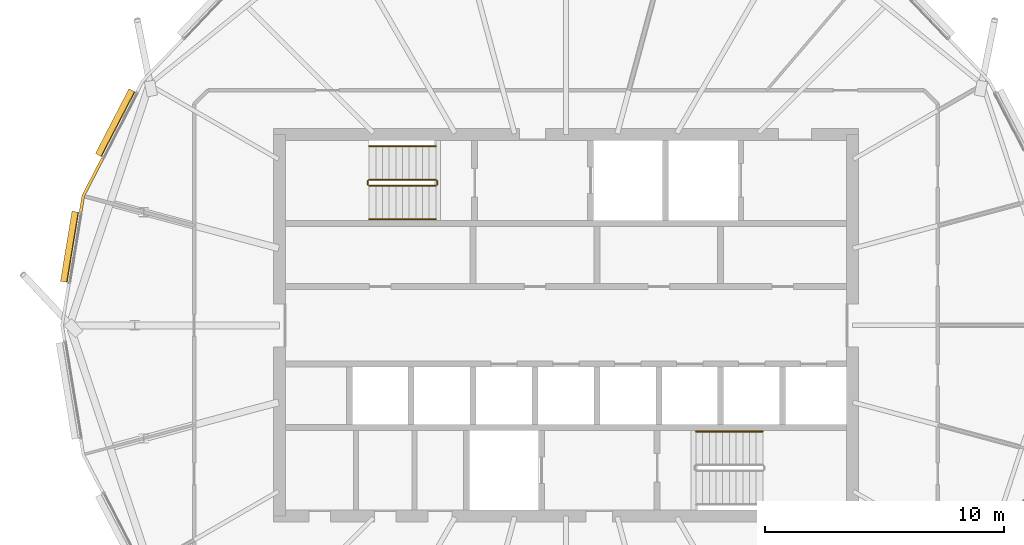
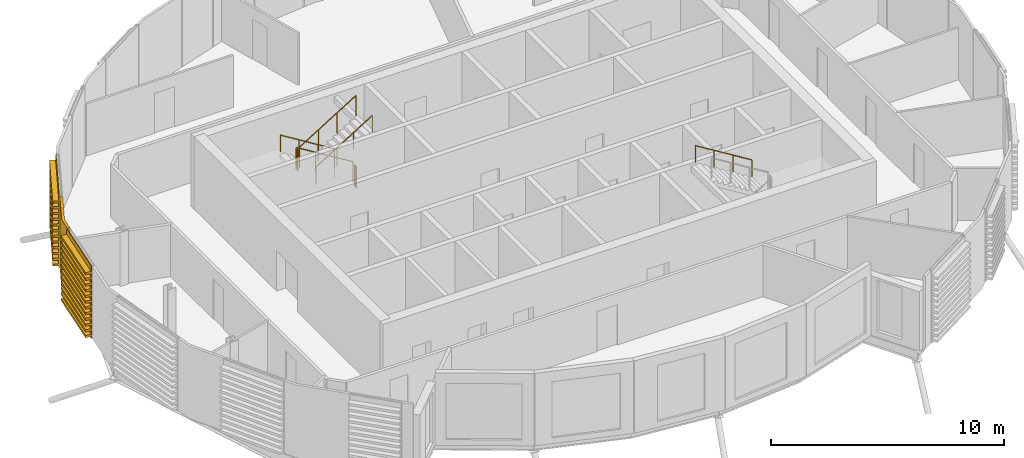
# One storey, part 36 of 41: 7 railings, 3 coverings.
"""IFC4 building model written with IfcOpenShell, lengths in metres."""

from ifc_helpers import new_model, si_unit, direction, frame, origin, origin_2d, place, context, subcontext, project, spatial, polyline, circle, outline, extrude, material, layer, layer_set, material_profile, profile_set, type_object, element, save


model = new_model("IFC4")

# Units and contexts
model_context = context("Model", 3, precision=1e-05, world=origin(), true_north=direction((0.0, 1.0)))
body_context = subcontext(model_context, "Body", "Model", "MODEL_VIEW")
ifc_project = project(units=[si_unit("LENGTHUNIT", "METRE"), si_unit("AREAUNIT", "SQUARE_METRE"), si_unit("VOLUMEUNIT", "CUBIC_METRE"), si_unit("PLANEANGLEUNIT", "RADIAN"), si_unit("MASSUNIT", "GRAM", prefix="KILO")], contexts=[model_context])

# Site, building, storey
site_placement = place(None, origin())
site = spatial("IfcSite", under=ifc_project, at=site_placement, CompositionType="ELEMENT")
building_placement = place(site_placement, origin())
building = spatial("IfcBuilding", under=site, at=building_placement, Name="Rimbun Link Towers", CompositionType="ELEMENT")
storey_placement = place(building_placement, frame((0.0, 0.0, 214.300048828125)))
storey = spatial("IfcBuildingStorey", under=building, at=storey_placement, Name="L52", CompositionType="ELEMENT", Elevation=214.300048828125)

# Covering
ifc_material_1 = material(Name="Terracotta", Category="masonry")
ifc_layer = layer(ifc_material_1, 0.1201171875)
ifc_layer_set = layer_set([ifc_layer], Name="LINK PIER terracotta cladding 120")
covering_type_1 = type_object("IfcCoveringType", Name="LINK PIER terracotta cladding 120", PredefinedType="CLADDING", material=ifc_layer_set)
covering_1_placement = place(storey_placement, origin())
element("IfcCovering", 1, at=covering_1_placement, inside=storey, type_object=covering_type_1, Name="LINK PIER cladding", PredefinedType="CLADDING", context=body_context, shape_type="SweptSolid", body=[
    extrude(outline(polyline([(-52.030029296875, 4.743896484375), (-51.92138671875, 5.40478515625), (-51.10791015625, 6.976806640625), (-51.214599609375, 7.031982421875), (-52.03662109375, 5.443115234375), (-52.1484375, 4.76318359375), (-52.030029296875, 4.743896484375)])), origin(), (0.0, 0.0, 1.0), 3.800048828125),
])

# Railings
ifc_material_2 = material(Name="Stainless steel grade 316", Category="steel")
railing_type_1 = type_object("IfcRailingType", Name="Stair guard", PredefinedType="GUARDRAIL", material=ifc_material_2)
railing_1_placement = place(storey_placement, frame((-37.199951171875, 6.10009765625, 0.172607421875)))
element("IfcRailing", 2, at=railing_1_placement, inside=storey, type_object=railing_type_1, Name="L52 ST1 stair guard 1", PredefinedType="GUARDRAIL", context=body_context, shape_type="SweptSolid", body=[
    extrude(circle(Radius=0.02392578125, at=origin_2d()), frame((0.0, 0.0, 1.076171875), z_axis=(-0.851089632645, 0.0, 0.525020415988), x_axis=(0.0, -1.0, 0.0)), (0.0, 0.0, 1.0), 3.2900390625),
    extrude(circle(Radius=0.02099609375, at=origin_2d()), origin(), (0.0, 0.0, 1.0), 1.052001953125),
    extrude(circle(Radius=0.02099609375, at=origin_2d()), frame((-0.933349609375, 0.0, 0.57568359375)), (0.0, 0.0, 1.0), 1.052001953125),
    extrude(circle(Radius=0.02099609375, at=origin_2d()), frame((-1.86669921875, 0.0, 1.151611328125)), (0.0, 0.0, 1.0), 1.052001953125),
    extrude(circle(Radius=0.02099609375, at=origin_2d()), frame((-2.800048828125, 0.0, 1.727294921875)), (0.0, 0.0, 1.0), 1.052001953125),
])
railing_2_placement = place(storey_placement, frame((-40.050048828125, 6.050048828125, 1.89990234375)))
element("IfcRailing", 3, at=railing_2_placement, inside=storey, type_object=railing_type_1, Name="L52 ST1 stair guard 2", PredefinedType="GUARDRAIL", context=body_context, shape_type="SweptSolid", body=[
    extrude(circle(Radius=0.02392578125, at=origin_2d()), frame((0.0, 0.0, 1.076171875), z_axis=(0.0, -1.0, 0.0), x_axis=(1.0, 0.0, 0.0)), (0.0, 0.0, 1.0), 0.150146484375),
    extrude(circle(Radius=0.02099609375, at=origin_2d()), origin(), (0.0, 0.0, 1.0), 1.052001953125),
    extrude(circle(Radius=0.02099609375, at=origin_2d()), frame((0.0, -0.150146484375, 0.0)), (0.0, 0.0, 1.0), 1.052001953125),
])
railing_3_placement = place(storey_placement, frame((-40.0, 5.85009765625, 2.07275390625)))
element("IfcRailing", 4, at=railing_3_placement, inside=storey, type_object=railing_type_1, Name="L52 ST1 stair guard 3", PredefinedType="GUARDRAIL", context=body_context, shape_type="SweptSolid", body=[
    extrude(circle(Radius=0.02392578125, at=origin_2d()), frame((0.0, 0.0, 1.076171875), z_axis=(0.851089632645, 0.0, 0.525020415988), x_axis=(0.0, 1.0, 0.0)), (0.0, 0.0, 1.0), 3.2900390625),
    extrude(circle(Radius=0.02099609375, at=origin_2d()), origin(), (0.0, 0.0, 1.0), 1.052001953125),
    extrude(circle(Radius=0.02099609375, at=origin_2d()), frame((0.933349609375, 0.0, 0.57568359375)), (0.0, 0.0, 1.0), 1.052001953125),
    extrude(circle(Radius=0.02099609375, at=origin_2d()), frame((1.86669921875, 0.0, 1.151611328125)), (0.0, 0.0, 1.0), 1.052001953125),
    extrude(circle(Radius=0.02099609375, at=origin_2d()), frame((2.800048828125, 0.0, 1.727294921875)), (0.0, 0.0, 1.0), 1.052001953125),
])
railing_4_placement = place(storey_placement, frame((-37.14990234375, 6.050048828125, 0.0)))
element("IfcRailing", 5, at=railing_4_placement, inside=storey, type_object=railing_type_1, Name="L52 ST1 stair guard 4", PredefinedType="GUARDRAIL", context=body_context, shape_type="SweptSolid", body=[
    extrude(circle(Radius=0.02392578125, at=origin_2d()), frame((0.0, 0.0, 1.076171875), z_axis=(0.0, -1.0, 0.0), x_axis=(1.0, 0.0, 0.0)), (0.0, 0.0, 1.0), 0.150146484375),
    extrude(circle(Radius=0.02099609375, at=origin_2d()), origin(), (0.0, 0.0, 1.0), 1.052001953125),
    extrude(circle(Radius=0.02099609375, at=origin_2d()), frame((0.0, -0.150146484375, 0.0)), (0.0, 0.0, 1.0), 1.052001953125),
])
ifc_material_3 = material(Name="Stainless steel grade 316", Category="steel")
railing_type_2 = type_object("IfcRailingType", Name="Stair handrail", PredefinedType="HANDRAIL", material=ifc_material_3)
railing_5_placement = place(storey_placement, frame((-37.199951171875, 7.5, 0.172607421875)))
element("IfcRailing", 6, at=railing_5_placement, inside=storey, type_object=railing_type_2, Name="L52 ST1 stair handrail 1", PredefinedType="HANDRAIL", context=body_context, shape_type="SweptSolid", body=[
    extrude(circle(Radius=0.02392578125, at=origin_2d()), frame((0.0, 0.0, 0.8759765625), z_axis=(-0.851089632645, 0.0, 0.525020415988), x_axis=(0.0, -1.0, 0.0)), (0.0, 0.0, 1.0), 3.2900390625),
    extrude(circle(Radius=0.02099609375, at=origin_2d()), origin(), (0.0, 0.0, 1.0), 0.851806640625),
    extrude(circle(Radius=0.02099609375, at=origin_2d()), frame((-0.933349609375, 0.0, 0.57568359375)), (0.0, 0.0, 1.0), 0.851806640625),
    extrude(circle(Radius=0.02099609375, at=origin_2d()), frame((-1.86669921875, 0.0, 1.151611328125)), (0.0, 0.0, 1.0), 0.851806640625),
    extrude(circle(Radius=0.02099609375, at=origin_2d()), frame((-2.800048828125, 0.0, 1.727294921875)), (0.0, 0.0, 1.0), 0.851806640625),
])
railing_6_placement = place(storey_placement, frame((-40.0, 4.449951171875, 2.07275390625)))
element("IfcRailing", 7, at=railing_6_placement, inside=storey, type_object=railing_type_2, Name="L52 ST1 stair handrail 2", PredefinedType="HANDRAIL", context=body_context, shape_type="SweptSolid", body=[
    extrude(circle(Radius=0.02392578125, at=origin_2d()), frame((0.0, 0.0, 0.8759765625), z_axis=(0.851089632645, 0.0, 0.525020415988), x_axis=(0.0, 1.0, 0.0)), (0.0, 0.0, 1.0), 3.2900390625),
    extrude(circle(Radius=0.02099609375, at=origin_2d()), origin(), (0.0, 0.0, 1.0), 0.851806640625),
    extrude(circle(Radius=0.02099609375, at=origin_2d()), frame((0.933349609375, 0.0, 0.57568359375)), (0.0, 0.0, 1.0), 0.851806640625),
    extrude(circle(Radius=0.02099609375, at=origin_2d()), frame((1.86669921875, 0.0, 1.151611328125)), (0.0, 0.0, 1.0), 0.851806640625),
    extrude(circle(Radius=0.02099609375, at=origin_2d()), frame((2.800048828125, 0.0, 1.727294921875)), (0.0, 0.0, 1.0), 0.851806640625),
])
railing_7_placement = place(storey_placement, frame((-23.5, -4.449951171875, 2.07275390625)))
element("IfcRailing", 8, at=railing_7_placement, inside=storey, type_object=railing_type_2, Name="L52 ST2 stair handrail 2", PredefinedType="HANDRAIL", context=body_context, shape_type="SweptSolid", body=[
    extrude(circle(Radius=0.02392578125, at=origin_2d()), frame((0.0, 0.0, 0.8759765625), z_axis=(-0.851089632645, 0.0, 0.525020415988), x_axis=(0.0, -1.0, 0.0)), (0.0, 0.0, 1.0), 3.2900390625),
    extrude(circle(Radius=0.02099609375, at=origin_2d()), origin(), (0.0, 0.0, 1.0), 0.851806640625),
    extrude(circle(Radius=0.02099609375, at=origin_2d()), frame((-0.933349609375, 0.0, 0.57568359375)), (0.0, 0.0, 1.0), 0.851806640625),
    extrude(circle(Radius=0.02099609375, at=origin_2d()), frame((-1.86669921875, 0.0, 1.151611328125)), (0.0, 0.0, 1.0), 0.851806640625),
    extrude(circle(Radius=0.02099609375, at=origin_2d()), frame((-2.800048828125, 0.0, 1.727294921875)), (0.0, 0.0, 1.0), 0.851806640625),
])

# Coverings
ifc_material_4 = material(Name="Terracotta", Category="masonry")
ifc_material_profile = material_profile(ifc_material_4, outline(polyline([(0.123046875, 0.0), (0.1630859375, 0.0), (0.1630859375, 0.10009765625), (0.423095703125, 0.10009765625), (0.423095703125, 0.219970703125), (0.1630859375, 0.219970703125), (0.1630859375, 0.39990234375), (0.423095703125, 0.39990234375), (0.423095703125, 0.52001953125), (0.1630859375, 0.52001953125), (0.1630859375, 0.699951171875), (0.423095703125, 0.699951171875), (0.423095703125, 0.820068359375), (0.1630859375, 0.820068359375), (0.1630859375, 1.0), (0.423095703125, 1.0), (0.423095703125, 1.1201171875), (0.1630859375, 1.1201171875), (0.1630859375, 1.300048828125), (0.423095703125, 1.300048828125), (0.423095703125, 1.419921875), (0.1630859375, 1.419921875), (0.1630859375, 1.60009765625), (0.423095703125, 1.60009765625), (0.423095703125, 1.719970703125), (0.1630859375, 1.719970703125), (0.1630859375, 1.89990234375), (0.423095703125, 1.89990234375), (0.423095703125, 2.02001953125), (0.1630859375, 2.02001953125), (0.1630859375, 2.199951171875), (0.423095703125, 2.199951171875), (0.423095703125, 2.320068359375), (0.1630859375, 2.320068359375), (0.1630859375, 2.5), (0.423095703125, 2.5), (0.423095703125, 2.6201171875), (0.1630859375, 2.6201171875), (0.1630859375, 2.800048828125), (0.423095703125, 2.800048828125), (0.423095703125, 2.919921875), (0.1630859375, 2.919921875), (0.1630859375, 3.10009765625), (0.423095703125, 3.10009765625), (0.423095703125, 3.219970703125), (0.1630859375, 3.219970703125), (0.1630859375, 3.39990234375), (0.423095703125, 3.39990234375), (0.423095703125, 3.52001953125), (0.1630859375, 3.52001953125), (0.1630859375, 3.800048828125), (0.123046875, 3.800048828125), (0.123046875, 0.0)])), Name="BAGUETTE 120X300")
ifc_profile_set = profile_set([ifc_material_profile], Name="Terracotta")
covering_type_2 = type_object("IfcCoveringType", Name="TERRACOTTA BAGUETTE 120X300 H3800", PredefinedType="CLADDING", material=ifc_profile_set)
covering_2_placement = place(storey_placement, frame((-51.09423828125, 7.003662109375, 0.0), z_axis=(0.459550949069, 0.888151408945, 0.0), x_axis=(-0.888151408945, 0.459550949069, 0.0)))
element("IfcCovering", 9, at=covering_2_placement, inside=storey, type_object=covering_type_2, Name="TERRACOTTA BAGUETTE", PredefinedType="CLADDING", context=body_context, shape_type="SweptSolid", body=[
    extrude(outline(polyline([(0.123046875, 0.0), (0.1630859375, 0.0), (0.1630859375, 0.10009765625), (0.423095703125, 0.10009765625), (0.423095703125, 0.219970703125), (0.1630859375, 0.219970703125), (0.1630859375, 0.39990234375), (0.423095703125, 0.39990234375), (0.423095703125, 0.52001953125), (0.1630859375, 0.52001953125), (0.1630859375, 0.699951171875), (0.423095703125, 0.699951171875), (0.423095703125, 0.820068359375), (0.1630859375, 0.820068359375), (0.1630859375, 1.0), (0.423095703125, 1.0), (0.423095703125, 1.1201171875), (0.1630859375, 1.1201171875), (0.1630859375, 1.300048828125), (0.423095703125, 1.300048828125), (0.423095703125, 1.419921875), (0.1630859375, 1.419921875), (0.1630859375, 1.60009765625), (0.423095703125, 1.60009765625), (0.423095703125, 1.719970703125), (0.1630859375, 1.719970703125), (0.1630859375, 1.89990234375), (0.423095703125, 1.89990234375), (0.423095703125, 2.02001953125), (0.1630859375, 2.02001953125), (0.1630859375, 2.199951171875), (0.423095703125, 2.199951171875), (0.423095703125, 2.320068359375), (0.1630859375, 2.320068359375), (0.1630859375, 2.5), (0.423095703125, 2.5), (0.423095703125, 2.6201171875), (0.1630859375, 2.6201171875), (0.1630859375, 2.800048828125), (0.423095703125, 2.800048828125), (0.423095703125, 2.919921875), (0.1630859375, 2.919921875), (0.1630859375, 3.10009765625), (0.423095703125, 3.10009765625), (0.423095703125, 3.219970703125), (0.1630859375, 3.219970703125), (0.1630859375, 3.39990234375), (0.423095703125, 3.39990234375), (0.423095703125, 3.52001953125), (0.1630859375, 3.52001953125), (0.1630859375, 3.800048828125), (0.123046875, 3.800048828125), (0.123046875, 0.0)])), origin(), (0.0, 0.0, 1.0), 3.060546875),
])
covering_3_placement = place(storey_placement, frame((-52.51806640625, 1.776123046875, 0.0), z_axis=(0.162271127458, 0.98674620911, 0.0), x_axis=(-0.98674620911, 0.162271127458, 0.0)))
element("IfcCovering", 10, at=covering_3_placement, inside=storey, type_object=covering_type_2, Name="TERRACOTTA BAGUETTE", PredefinedType="CLADDING", context=body_context, shape_type="SweptSolid", body=[
    extrude(outline(polyline([(0.123046875, 0.0), (0.1630859375, 0.0), (0.1630859375, 0.10009765625), (0.423095703125, 0.10009765625), (0.423095703125, 0.219970703125), (0.1630859375, 0.219970703125), (0.1630859375, 0.39990234375), (0.423095703125, 0.39990234375), (0.423095703125, 0.52001953125), (0.1630859375, 0.52001953125), (0.1630859375, 0.699951171875), (0.423095703125, 0.699951171875), (0.423095703125, 0.820068359375), (0.1630859375, 0.820068359375), (0.1630859375, 1.0), (0.423095703125, 1.0), (0.423095703125, 1.1201171875), (0.1630859375, 1.1201171875), (0.1630859375, 1.300048828125), (0.423095703125, 1.300048828125), (0.423095703125, 1.419921875), (0.1630859375, 1.419921875), (0.1630859375, 1.60009765625), (0.423095703125, 1.60009765625), (0.423095703125, 1.719970703125), (0.1630859375, 1.719970703125), (0.1630859375, 1.89990234375), (0.423095703125, 1.89990234375), (0.423095703125, 2.02001953125), (0.1630859375, 2.02001953125), (0.1630859375, 2.199951171875), (0.423095703125, 2.199951171875), (0.423095703125, 2.320068359375), (0.1630859375, 2.320068359375), (0.1630859375, 2.5), (0.423095703125, 2.5), (0.423095703125, 2.6201171875), (0.1630859375, 2.6201171875), (0.1630859375, 2.800048828125), (0.423095703125, 2.800048828125), (0.423095703125, 2.919921875), (0.1630859375, 2.919921875), (0.1630859375, 3.10009765625), (0.423095703125, 3.10009765625), (0.423095703125, 3.219970703125), (0.1630859375, 3.219970703125), (0.1630859375, 3.39990234375), (0.423095703125, 3.39990234375), (0.423095703125, 3.52001953125), (0.1630859375, 3.52001953125), (0.1630859375, 3.800048828125), (0.123046875, 3.800048828125), (0.123046875, 0.0)])), origin(), (0.0, 0.0, 1.0), 2.9775390625),
])

save(model, "model.ifc")
